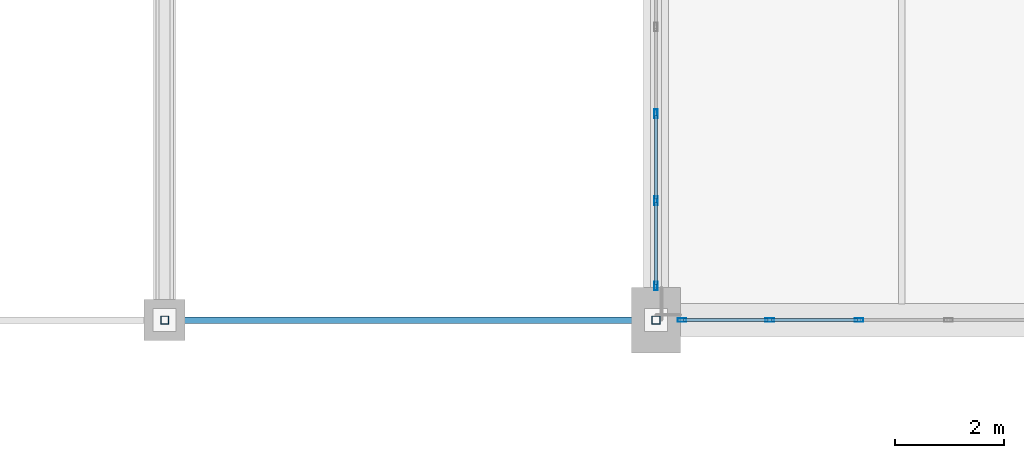
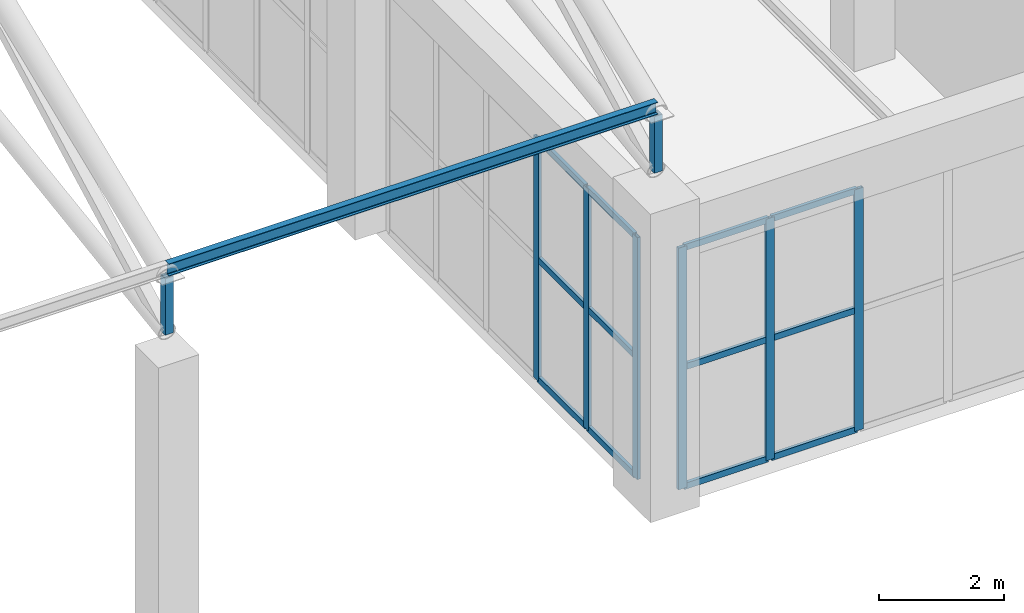
# One storey, part 88 of 223: 21 members, 2 elements without a shape of their own.
"""IFC4 building model written with IfcOpenShell, lengths in metres."""

from ifc_helpers import new_model, si_unit, direction, frame, origin, origin_2d, place, context, subcontext, project, spatial, hollow_rectangle, i_section, extrude, material, layer, layer_set, material_profile, profile_set, type_object, element, aggregate, save


model = new_model("IFC4")

# Units and contexts
model_context = context("Model", 3, precision=1e-05, world=origin(), true_north=direction((0.0, 1.0)))
body_context = subcontext(model_context, "Body", "Model", "MODEL_VIEW")
ifc_project = project(units=[si_unit("LENGTHUNIT", "METRE"), si_unit("AREAUNIT", "SQUARE_METRE"), si_unit("VOLUMEUNIT", "CUBIC_METRE"), si_unit("PLANEANGLEUNIT", "RADIAN"), si_unit("MASSUNIT", "GRAM", prefix="KILO")], contexts=[model_context])

# Site, building, storey
site_placement = place(None, origin())
site = spatial("IfcSite", under=ifc_project, at=site_placement, CompositionType="ELEMENT")
building_placement = place(site_placement, origin())
building = spatial("IfcBuilding", under=site, at=building_placement, Name="Dornveld Trade and Exhibition Forum", CompositionType="ELEMENT")
storey_placement = place(building_placement, frame((0.0, 0.0, 6.0)))
storey = spatial("IfcBuildingStorey", under=building, at=storey_placement, Name="L01", CompositionType="ELEMENT", Elevation=6.0)

# Curtain wall, members
ifc_material_1 = material(Name="Dark-bronze anodised aluminium and low-E glass", Category="aluminium")
ifc_layer_1 = layer(ifc_material_1, 0.1630859375)
ifc_layer_set_1 = layer_set([ifc_layer_1], Name="Dark-bronze anodised aluminium and low-E glass")
curtain_wall_type_1 = type_object("IfcCurtainWallType", Name="CW-SYS-07", PredefinedType="USERDEFINED", material=ifc_layer_set_1)
curtain_wall_1_placement = place(storey_placement, origin())
curtain_wall_1 = element("IfcCurtainWall", 1, at=curtain_wall_1_placement, inside=storey, type_object=curtain_wall_type_1, Name="L01 unitised curtain wall 7", ObjectType="UNITISED_CURTAIN_WALL", PredefinedType="USERDEFINED")
ifc_material_2 = material(Name="Dark-bronze anodised aluminium", Category="aluminium")
ifc_material_profile_1 = material_profile(ifc_material_2, hollow_rectangle(XDim=0.06005859375, YDim=0.159912109375, WallThickness=0.00390625, at=origin_2d()), Name="RHS 160x60x4")
ifc_profile_set_1 = profile_set([ifc_material_profile_1], Name="Dark-bronze anodised aluminium")
member_type_1 = type_object("IfcMemberType", Name="CW-MUL-160", PredefinedType="MULLION", material=ifc_profile_set_1)
member_1_placement = place(storey_placement, frame((171.0, 108.6259765625, -0.00390625), z_axis=(0.0, 0.0, 1.0), x_axis=(-1.0, 0.0, 0.0)))
member_1 = element("IfcMember", 2, at=member_1_placement, type_object=member_type_1, Name="CW-07 mullion 1", PredefinedType="MULLION", context=body_context, shape_type="SweptSolid", body=[
    extrude(hollow_rectangle(XDim=0.06005859375, YDim=0.159912109375, WallThickness=0.00390625, at=origin_2d()), origin(), (0.0, 0.0, 1.0), 4.703857421875),
])
member_2_placement = place(storey_placement, frame((171.0, 110.1875, -0.00390625), z_axis=(0.0, 0.0, 1.0), x_axis=(-1.0, 0.0, 0.0)))
member_2 = element("IfcMember", 3, at=member_2_placement, type_object=member_type_1, Name="CW-07 mullion 2", PredefinedType="MULLION", context=body_context, shape_type="SweptSolid", body=[
    extrude(hollow_rectangle(XDim=0.06005859375, YDim=0.159912109375, WallThickness=0.00390625, at=origin_2d()), origin(), (0.0, 0.0, 1.0), 4.703857421875),
])
member_3_placement = place(storey_placement, frame((171.0, 111.779296875, -0.00390625), z_axis=(0.0, 0.0, 1.0), x_axis=(-1.0, 0.0, 0.0)))
member_3 = element("IfcMember", 4, at=member_3_placement, type_object=member_type_1, Name="CW-07 mullion 3", PredefinedType="MULLION", context=body_context, shape_type="SweptSolid", body=[
    extrude(hollow_rectangle(XDim=0.06005859375, YDim=0.159912109375, WallThickness=0.00390625, at=origin_2d()), origin(), (0.0, 0.0, 1.0), 4.703857421875),
])

ifc_material_3 = material(Name="Dark-bronze anodised aluminium and low-E glass", Category="aluminium")
ifc_layer_2 = layer(ifc_material_3, 0.18408203125)
ifc_layer_set_2 = layer_set([ifc_layer_2], Name="Dark-bronze anodised aluminium and low-E glass")
curtain_wall_type_2 = type_object("IfcCurtainWallType", Name="CW-SYS-14", PredefinedType="USERDEFINED", material=ifc_layer_set_2)
curtain_wall_2_placement = place(storey_placement, origin())
curtain_wall_2 = element("IfcCurtainWall", 5, at=curtain_wall_2_placement, inside=storey, type_object=curtain_wall_type_2, Name="L01 unitised curtain wall 104", ObjectType="UNITISED_CURTAIN_WALL", PredefinedType="USERDEFINED")
member_4_placement = place(storey_placement, frame((171.47607421875, 108.0, -0.00390625), z_axis=(0.0, 0.0, 1.0), x_axis=(0.0, 1.0, 0.0)))
member_4 = element("IfcMember", 6, at=member_4_placement, type_object=member_type_1, Name="CW-14 mullion 1", PredefinedType="MULLION", context=body_context, shape_type="SweptSolid", body=[
    extrude(hollow_rectangle(XDim=0.06005859375, YDim=0.159912109375, WallThickness=0.00390625, at=origin_2d()), origin(), (0.0, 0.0, 1.0), 4.703857421875),
])
member_5_placement = place(storey_placement, frame((173.08251953125, 108.0, -0.00390625), z_axis=(0.0, 0.0, 1.0), x_axis=(0.0, 1.0, 0.0)))
member_5 = element("IfcMember", 7, at=member_5_placement, type_object=member_type_1, Name="CW-14 mullion 2", PredefinedType="MULLION", context=body_context, shape_type="SweptSolid", body=[
    extrude(hollow_rectangle(XDim=0.06005859375, YDim=0.159912109375, WallThickness=0.00390625, at=origin_2d()), origin(), (0.0, 0.0, 1.0), 4.703857421875),
])
member_6_placement = place(storey_placement, frame((174.71923828125, 108.0, -0.00390625), z_axis=(0.0, 0.0, 1.0), x_axis=(0.0, 1.0, 0.0)))
member_6 = element("IfcMember", 8, at=member_6_placement, type_object=member_type_1, Name="CW-14 mullion 3", PredefinedType="MULLION", context=body_context, shape_type="SweptSolid", body=[
    extrude(hollow_rectangle(XDim=0.06005859375, YDim=0.159912109375, WallThickness=0.00390625, at=origin_2d()), origin(), (0.0, 0.0, 1.0), 4.703857421875),
])

# Member
ifc_material_4 = material(Name="Dark-bronze anodised aluminium", Category="aluminium")
ifc_material_profile_2 = material_profile(ifc_material_4, hollow_rectangle(XDim=0.06005859375, YDim=0.1201171875, WallThickness=0.00390625, at=origin_2d()), Name="RHS 120x60x4")
ifc_profile_set_2 = profile_set([ifc_material_profile_2], Name="Dark-bronze anodised aluminium")
member_type_2 = type_object("IfcMemberType", Name="CW-TRN-120", PredefinedType="USERDEFINED", material=ifc_profile_set_2)
member_7_placement = place(storey_placement, frame((171.0, 108.656005859375, 0.02587890625), z_axis=(0.0, 1.0, 0.0), x_axis=(-1.0, 0.0, 0.0)))
member_7 = element("IfcMember", 9, at=member_7_placement, type_object=member_type_2, Name="CW-07 transom 1.1", ObjectType="TRANSOM", PredefinedType="USERDEFINED", context=body_context, shape_type="SweptSolid", body=[
    extrude(hollow_rectangle(XDim=0.06005859375, YDim=0.1201171875, WallThickness=0.00390625, at=origin_2d()), origin(), (0.0, 0.0, 1.0), 1.501708984375),
])

member_8_placement = place(storey_placement, frame((171.0, 108.656005859375, 2.347900390625), z_axis=(0.0, 1.0, 0.0), x_axis=(-1.0, 0.0, 0.0)))
member_8 = element("IfcMember", 10, at=member_8_placement, type_object=member_type_2, Name="CW-07 transom 1.2", ObjectType="TRANSOM", PredefinedType="USERDEFINED", context=body_context, shape_type="SweptSolid", body=[
    extrude(hollow_rectangle(XDim=0.06005859375, YDim=0.1201171875, WallThickness=0.00390625, at=origin_2d()), origin(), (0.0, 0.0, 1.0), 1.501708984375),
])

member_9_placement = place(storey_placement, frame((171.0, 108.656005859375, 4.669921875), z_axis=(0.0, 1.0, 0.0), x_axis=(-1.0, 0.0, 0.0)))
member_9 = element("IfcMember", 11, at=member_9_placement, type_object=member_type_2, Name="CW-07 transom 1.3", ObjectType="TRANSOM", PredefinedType="USERDEFINED", context=body_context, shape_type="SweptSolid", body=[
    extrude(hollow_rectangle(XDim=0.06005859375, YDim=0.1201171875, WallThickness=0.00390625, at=origin_2d()), origin(), (0.0, 0.0, 1.0), 1.501708984375),
])

member_10_placement = place(storey_placement, frame((171.0, 110.217529296875, 0.02587890625), z_axis=(0.0, 1.0, 0.0), x_axis=(-1.0, 0.0, 0.0)))
member_10 = element("IfcMember", 12, at=member_10_placement, type_object=member_type_2, Name="CW-07 transom 2.1", ObjectType="TRANSOM", PredefinedType="USERDEFINED", context=body_context, shape_type="SweptSolid", body=[
    extrude(hollow_rectangle(XDim=0.06005859375, YDim=0.1201171875, WallThickness=0.00390625, at=origin_2d()), origin(), (0.0, 0.0, 1.0), 1.53173828125),
])

member_11_placement = place(storey_placement, frame((171.0, 110.217529296875, 2.347900390625), z_axis=(0.0, 1.0, 0.0), x_axis=(-1.0, 0.0, 0.0)))
member_11 = element("IfcMember", 13, at=member_11_placement, type_object=member_type_2, Name="CW-07 transom 2.2", ObjectType="TRANSOM", PredefinedType="USERDEFINED", context=body_context, shape_type="SweptSolid", body=[
    extrude(hollow_rectangle(XDim=0.06005859375, YDim=0.1201171875, WallThickness=0.00390625, at=origin_2d()), origin(), (0.0, 0.0, 1.0), 1.53173828125),
])

member_12_placement = place(storey_placement, frame((171.0, 110.217529296875, 4.669921875), z_axis=(0.0, 1.0, 0.0), x_axis=(-1.0, 0.0, 0.0)))
member_12 = element("IfcMember", 14, at=member_12_placement, type_object=member_type_2, Name="CW-07 transom 2.3", ObjectType="TRANSOM", PredefinedType="USERDEFINED", context=body_context, shape_type="SweptSolid", body=[
    extrude(hollow_rectangle(XDim=0.06005859375, YDim=0.1201171875, WallThickness=0.00390625, at=origin_2d()), origin(), (0.0, 0.0, 1.0), 1.53173828125),
])

aggregate(curtain_wall_1, [member_1, member_2, member_3, member_7, member_8, member_9, member_10, member_11, member_12])

member_13_placement = place(storey_placement, frame((171.506103515625, 108.0, 0.02587890625), z_axis=(1.0, 0.0, 0.0), x_axis=(0.0, 1.0, 0.0)))
member_13 = element("IfcMember", 15, at=member_13_placement, type_object=member_type_2, Name="CW-14 transom 1.1", ObjectType="TRANSOM", PredefinedType="USERDEFINED", context=body_context, shape_type="SweptSolid", body=[
    extrude(hollow_rectangle(XDim=0.06005859375, YDim=0.1201171875, WallThickness=0.00390625, at=origin_2d()), origin(), (0.0, 0.0, 1.0), 1.54638671875),
])

member_14_placement = place(storey_placement, frame((171.506103515625, 108.0, 2.347900390625), z_axis=(1.0, 0.0, 0.0), x_axis=(0.0, 1.0, 0.0)))
member_14 = element("IfcMember", 16, at=member_14_placement, type_object=member_type_2, Name="CW-14 transom 1.2", ObjectType="TRANSOM", PredefinedType="USERDEFINED", context=body_context, shape_type="SweptSolid", body=[
    extrude(hollow_rectangle(XDim=0.06005859375, YDim=0.1201171875, WallThickness=0.00390625, at=origin_2d()), origin(), (0.0, 0.0, 1.0), 1.54638671875),
])

member_15_placement = place(storey_placement, frame((171.506103515625, 108.0, 4.669921875), z_axis=(1.0, 0.0, 0.0), x_axis=(0.0, 1.0, 0.0)))
member_15 = element("IfcMember", 17, at=member_15_placement, type_object=member_type_2, Name="CW-14 transom 1.3", ObjectType="TRANSOM", PredefinedType="USERDEFINED", context=body_context, shape_type="SweptSolid", body=[
    extrude(hollow_rectangle(XDim=0.06005859375, YDim=0.1201171875, WallThickness=0.00390625, at=origin_2d()), origin(), (0.0, 0.0, 1.0), 1.54638671875),
])

member_16_placement = place(storey_placement, frame((173.112548828125, 108.0, 0.02587890625), z_axis=(1.0, 0.0, 0.0), x_axis=(0.0, 1.0, 0.0)))
member_16 = element("IfcMember", 18, at=member_16_placement, type_object=member_type_2, Name="CW-14 transom 2.1", ObjectType="TRANSOM", PredefinedType="USERDEFINED", context=body_context, shape_type="SweptSolid", body=[
    extrude(hollow_rectangle(XDim=0.06005859375, YDim=0.1201171875, WallThickness=0.00390625, at=origin_2d()), origin(), (0.0, 0.0, 1.0), 1.57666015625),
])

member_17_placement = place(storey_placement, frame((173.112548828125, 108.0, 2.347900390625), z_axis=(1.0, 0.0, 0.0), x_axis=(0.0, 1.0, 0.0)))
member_17 = element("IfcMember", 19, at=member_17_placement, type_object=member_type_2, Name="CW-14 transom 2.2", ObjectType="TRANSOM", PredefinedType="USERDEFINED", context=body_context, shape_type="SweptSolid", body=[
    extrude(hollow_rectangle(XDim=0.06005859375, YDim=0.1201171875, WallThickness=0.00390625, at=origin_2d()), origin(), (0.0, 0.0, 1.0), 1.57666015625),
])

member_18_placement = place(storey_placement, frame((173.112548828125, 108.0, 4.669921875), z_axis=(1.0, 0.0, 0.0), x_axis=(0.0, 1.0, 0.0)))
member_18 = element("IfcMember", 20, at=member_18_placement, type_object=member_type_2, Name="CW-14 transom 2.3", ObjectType="TRANSOM", PredefinedType="USERDEFINED", context=body_context, shape_type="SweptSolid", body=[
    extrude(hollow_rectangle(XDim=0.06005859375, YDim=0.1201171875, WallThickness=0.00390625, at=origin_2d()), origin(), (0.0, 0.0, 1.0), 1.57666015625),
])

aggregate(curtain_wall_2, [member_4, member_5, member_6, member_13, member_14, member_15, member_16, member_17, member_18])

# Members
ifc_material_5 = material(Name="Steel S355J2", Category="steel")
ifc_material_profile_3 = material_profile(ifc_material_5, hollow_rectangle(XDim=0.14990234375, YDim=0.14990234375, WallThickness=0.008056640625, at=origin_2d()), Name="SHS 150x150x8")
ifc_profile_set_3 = profile_set([ifc_material_profile_3], Name="Steel S355J2")
member_type_3 = type_object("IfcMemberType", Name="MEM-ARCH-STR", PredefinedType="STRUT", material=ifc_profile_set_3)
for number, where, z_axis, x_axis, name in (
    (21, (162.0, 108.0, 6.35009765625), (0.0, 0.0, 1.0), (1.0, 0.0, 0.0), "H1 truss 8 strut 1"),
    (22, (171.0, 108.0, 6.35009765625), (0.0, 0.0, 1.0), (1.0, 0.0, 0.0), "H1 truss 9 strut 1"),
):
    element("IfcMember", number, at=place(storey_placement, frame(where, z_axis=z_axis, x_axis=x_axis)), inside=storey, type_object=member_type_3, Name=name, PredefinedType="STRUT", context=body_context, shape_type="SweptSolid", body=[
        extrude(hollow_rectangle(XDim=0.14990234375, YDim=0.14990234375, WallThickness=0.008056640625, at=origin_2d()), origin(), (0.0, 0.0, 1.0), 1.099853515625),
    ])
ifc_material_6 = material(Name="Steel S355J2", Category="steel")
ifc_material_profile_4 = material_profile(ifc_material_6, i_section(OverallWidth=0.1201171875, OverallDepth=0.239990234375, WebThickness=0.006103515625, FlangeThickness=0.009765625, FilletRadius=0.014892578125, at=origin_2d()), Name="IPE 240")
ifc_profile_set_4 = profile_set([ifc_material_profile_4], Name="Steel S355J2")
member_type_4 = type_object("IfcMemberType", Name="MEM-PURLIN-240", PredefinedType="PURLIN", material=ifc_profile_set_4)
member_19_placement = place(storey_placement, frame((162.0, 108.0, 7.58203125), z_axis=(1.0, 0.0, 0.0), x_axis=(0.0, 1.0, 0.0)))
element("IfcMember", 23, at=member_19_placement, inside=storey, type_object=member_type_4, Name="H1 bay 8 roof purlin 1", PredefinedType="PURLIN", context=body_context, shape_type="SweptSolid", body=[
    extrude(i_section(OverallWidth=0.1201171875, OverallDepth=0.239990234375, WebThickness=0.006103515625, FlangeThickness=0.009765625, FilletRadius=0.014892578125, at=origin_2d()), origin(), (0.0, 0.0, 1.0), 9.0),
])

save(model, "model.ifc")
